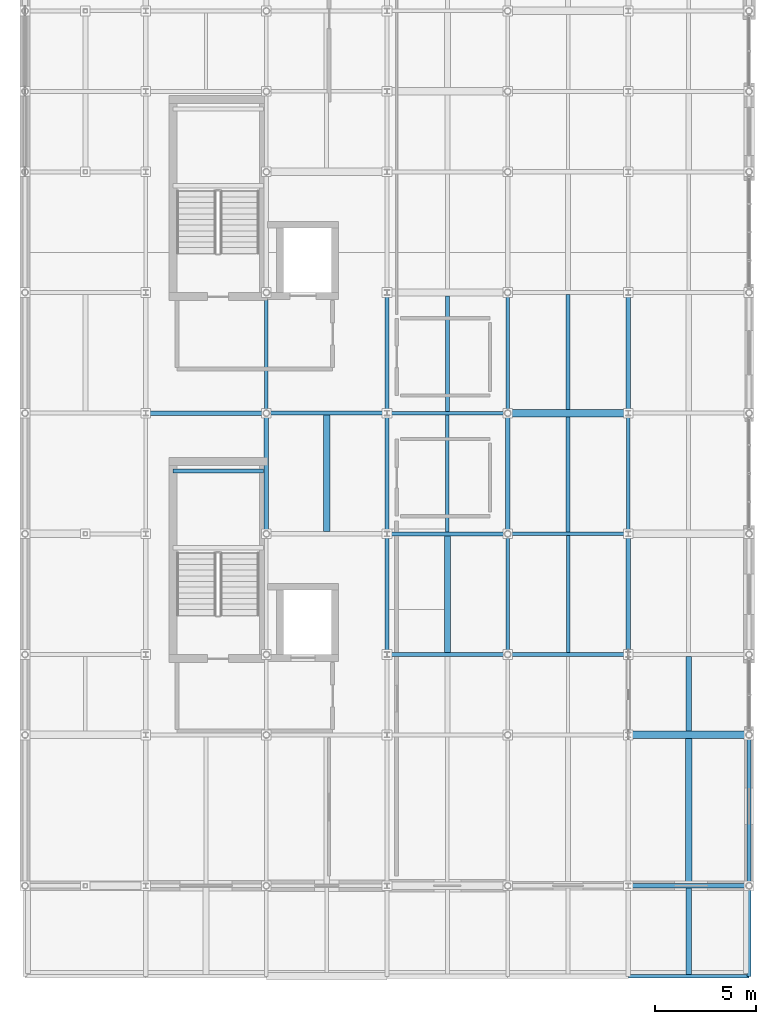
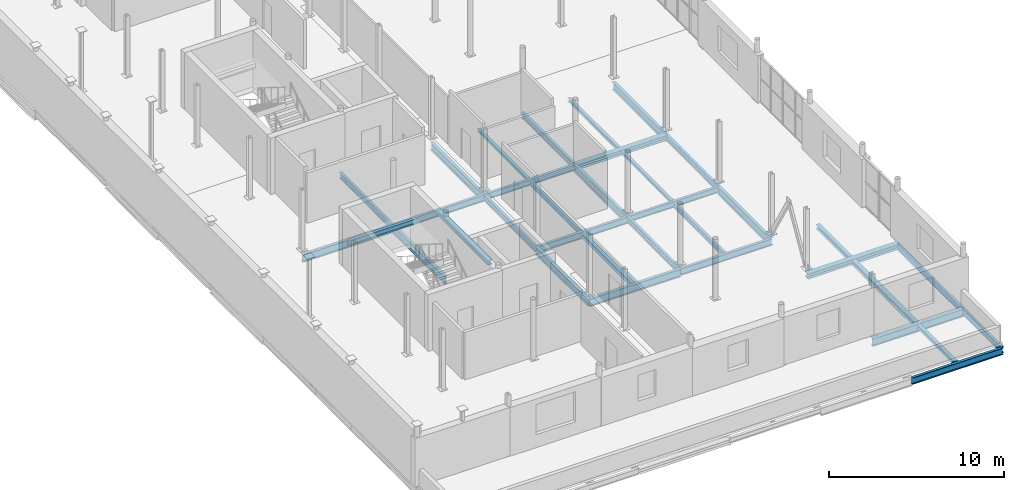
# One storey, part 12 of 30: 35 beams.
"""IFC4 building model written with IfcOpenShell, lengths in metres."""

from ifc_helpers import new_model, si_unit, direction, frame, origin, origin_2d, place, context, subcontext, project, spatial, i_section, extrude, material, material_profile, profile_set, type_object, element, save


model = new_model("IFC4")

# Units and contexts
model_context = context("Model", 3, precision=1e-05, world=origin(), true_north=direction((0.0, 1.0)))
body_context = subcontext(model_context, "Body", "Model", "MODEL_VIEW")
ifc_project = project(units=[si_unit("LENGTHUNIT", "METRE"), si_unit("AREAUNIT", "SQUARE_METRE"), si_unit("VOLUMEUNIT", "CUBIC_METRE"), si_unit("PLANEANGLEUNIT", "RADIAN"), si_unit("MASSUNIT", "GRAM", prefix="KILO")], contexts=[model_context])

# Site, building, storey
site_placement = place(None, origin())
site = spatial("IfcSite", under=ifc_project, at=site_placement, CompositionType="ELEMENT")
building_placement = place(site_placement, origin())
building = spatial("IfcBuilding", under=site, at=building_placement, Name="Verrall Gate Interchange", CompositionType="ELEMENT")
storey_placement = place(building_placement, frame((0.0, 0.0, 19.39990234375)))
storey = spatial("IfcBuildingStorey", under=building, at=storey_placement, Name="L05", CompositionType="ELEMENT", Elevation=19.39990234375)

# Beams
ifc_material_1 = material(Name="Structural Steel CSA G40.21 350W", Category="steel")
ifc_material_profile_1 = material_profile(ifc_material_1, i_section(OverallWidth=0.2109375, OverallDepth=0.5390625, WebThickness=0.01171875, FlangeThickness=0.018798828125, FilletRadius=0.013916015625, at=origin_2d()), Name="W530x109")
ifc_profile_set_1 = profile_set([ifc_material_profile_1], Name="Structural Steel CSA G40.21 350W")
beam_type_1 = type_object("IfcBeamType", Name="B-10 Structural Beam W530x109", PredefinedType="BEAM", material=ifc_profile_set_1)
for number, where, z_axis, x_axis, name in (
    (1, (30.0, 4.5, -0.599365234375), (1.0, 0.0, 0.0), (0.0, 1.0, 0.0), "L05 Girder BM-L05-2858 (B-10)"),
    (2, (18.0, 16.0, -0.599365234375), (1.0, 0.0, 0.0), (0.0, 1.0, 0.0), "L05 Girder BM-L05-2866 (B-10)"),
    (3, (6.0, 28.0, -0.599365234375), (1.0, 0.0, 0.0), (0.0, 1.0, 0.0), "L05 Girder BM-L05-2876 (B-10)"),
    (4, (12.0, 22.0, -0.599365234375), (0.0, 1.0, 0.0), (-1.0, 0.0, 0.0), "L05 Girder BM-L05-2948 (B-10)"),
    (5, (18.0, 16.0, -0.599365234375), (0.0, 1.0, 0.0), (-1.0, 0.0, 0.0), "L05 Girder BM-L05-2959 (B-10)"),
    (6, (18.0, 28.0, -0.599365234375), (0.0, 1.0, 0.0), (-1.0, 0.0, 0.0), "L05 Girder BM-L05-2961 (B-10)"),
    (7, (24.0, 22.0, -0.599365234375), (0.0, 1.0, 0.0), (-1.0, 0.0, 0.0), "L05 Girder BM-L05-2972 (B-10)"),
    (8, (30.0, 16.0, -0.599365234375), (0.0, 1.0, 0.0), (-1.0, 0.0, 0.0), "L05 Girder BM-L05-2983 (B-10)"),
    (9, (30.0, 28.0, -0.599365234375), (0.0, 1.0, 0.0), (-1.0, 0.0, 0.0), "L05 Girder BM-L05-2985 (B-10)"),
):
    element("IfcBeam", number, at=place(storey_placement, frame(where, z_axis=z_axis, x_axis=x_axis)), inside=storey, type_object=beam_type_1, Name=name, PredefinedType="BEAM", context=body_context, shape_type="SweptSolid", body=[
        extrude(i_section(OverallWidth=0.2109375, OverallDepth=0.5390625, WebThickness=0.01171875, FlangeThickness=0.018798828125, FilletRadius=0.013916015625, at=origin_2d()), origin(), (0.0, 0.0, 1.0), 6.0),
    ])
ifc_material_2 = material(Name="Structural Steel CSA G40.21 350W", Category="steel")
ifc_material_profile_2 = material_profile(ifc_material_2, i_section(OverallWidth=0.19189453125, OverallDepth=0.462890625, WebThickness=0.010498046875, FlangeThickness=0.017578125, FilletRadius=0.012939453125, at=origin_2d()), Name="W460x89")
ifc_profile_set_2 = profile_set([ifc_material_profile_2], Name="Structural Steel CSA G40.21 350W")
beam_type_2 = type_object("IfcBeamType", Name="B-11 Structural Beam W460x89", PredefinedType="BEAM", material=ifc_profile_set_2)
for number, where, z_axis, x_axis, name in (
    (10, (30.0, 0.0, -0.5615234375), (1.0, 0.0, 0.0), (0.0, 1.0, 0.0), "L05 Girder BM-L05-2851 (B-11)"),
    (11, (24.0, 16.0, -0.5615234375), (1.0, 0.0, 0.0), (0.0, 1.0, 0.0), "L05 Girder BM-L05-2867 (B-11)"),
    (12, (18.0, 22.0, -0.5615234375), (1.0, 0.0, 0.0), (0.0, 1.0, 0.0), "L05 Girder BM-L05-2872 (B-11)"),
    (13, (12.0, 28.0, -0.5615234375), (1.0, 0.0, 0.0), (0.0, 1.0, 0.0), "L05 Girder BM-L05-2877 (B-11)"),
):
    element("IfcBeam", number, at=place(storey_placement, frame(where, z_axis=z_axis, x_axis=x_axis)), inside=storey, type_object=beam_type_2, Name=name, PredefinedType="BEAM", context=body_context, shape_type="SweptSolid", body=[
        extrude(i_section(OverallWidth=0.19189453125, OverallDepth=0.462890625, WebThickness=0.010498046875, FlangeThickness=0.017578125, FilletRadius=0.012939453125, at=origin_2d()), origin(), (0.0, 0.0, 1.0), 6.0),
    ])
ifc_material_3 = material(Name="Structural Steel CSA G40.21 350W", Category="steel")
ifc_material_profile_3 = material_profile(ifc_material_3, i_section(OverallWidth=0.178955078125, OverallDepth=0.409912109375, WebThickness=0.0087890625, FlangeThickness=0.014404296875, FilletRadius=0.011962890625, at=origin_2d()), Name="W410x67")
ifc_profile_set_3 = profile_set([ifc_material_profile_3], Name="Structural Steel CSA G40.21 350W")
beam_type_3 = type_object("IfcBeamType", Name="B-12 Structural Beam W410x67", PredefinedType="BEAM", material=ifc_profile_set_3)
for number, where, z_axis, x_axis, name in (
    (14, (24.0, 22.0, -0.534912109375), (1.0, 0.0, 0.0), (0.0, 1.0, 0.0), "L05 Girder BM-L05-2873 (B-12)"),
    (15, (18.0, 28.0, -0.534912109375), (1.0, 0.0, 0.0), (0.0, 1.0, 0.0), "L05 Girder BM-L05-2878 (B-12)"),
    (16, (12.0, 28.0, -0.534912109375), (0.0, 1.0, 0.0), (-1.0, 0.0, 0.0), "L05 Girder BM-L05-2949 (B-12)"),
    (17, (18.0, 22.0, -0.534912109375), (0.0, 1.0, 0.0), (-1.0, 0.0, 0.0), "L05 Girder BM-L05-2960 (B-12)"),
    (18, (24.0, 16.0, -0.534912109375), (0.0, 1.0, 0.0), (-1.0, 0.0, 0.0), "L05 Girder BM-L05-2971 (B-12)"),
    (19, (24.0, 28.0, -0.534912109375), (0.0, 1.0, 0.0), (-1.0, 0.0, 0.0), "L05 Girder BM-L05-2973 (B-12)"),
    (20, (30.0, 22.0, -0.534912109375), (0.0, 1.0, 0.0), (-1.0, 0.0, 0.0), "L05 Girder BM-L05-2984 (B-12)"),
):
    element("IfcBeam", number, at=place(storey_placement, frame(where, z_axis=z_axis, x_axis=x_axis)), inside=storey, type_object=beam_type_3, Name=name, PredefinedType="BEAM", context=body_context, shape_type="SweptSolid", body=[
        extrude(i_section(OverallWidth=0.178955078125, OverallDepth=0.409912109375, WebThickness=0.0087890625, FlangeThickness=0.014404296875, FilletRadius=0.011962890625, at=origin_2d()), origin(), (0.0, 0.0, 1.0), 6.0),
    ])
beam_1_placement = place(storey_placement, frame((36.0, 0.0, -0.534912109375), z_axis=(0.0, 1.0, 0.0), x_axis=(-1.0, 0.0, 0.0)))
element("IfcBeam", 21, at=beam_1_placement, inside=storey, type_object=beam_type_3, Name="L05 Girder BM-L05-2992 (B-12)", PredefinedType="BEAM", context=body_context, shape_type="SweptSolid", body=[
    extrude(i_section(OverallWidth=0.178955078125, OverallDepth=0.409912109375, WebThickness=0.0087890625, FlangeThickness=0.014404296875, FilletRadius=0.011962890625, at=origin_2d()), origin(), (0.0, 0.0, 1.0), 4.5),
])
beam_2_placement = place(storey_placement, frame((36.0, 4.5, -0.534912109375), z_axis=(0.0, 1.0, 0.0), x_axis=(-1.0, 0.0, 0.0)))
element("IfcBeam", 22, at=beam_2_placement, inside=storey, type_object=beam_type_3, Name="L05 Girder BM-L05-2993 (B-12)", PredefinedType="BEAM", context=body_context, shape_type="SweptSolid", body=[
    extrude(i_section(OverallWidth=0.178955078125, OverallDepth=0.409912109375, WebThickness=0.0087890625, FlangeThickness=0.014404296875, FilletRadius=0.011962890625, at=origin_2d()), origin(), (0.0, 0.0, 1.0), 7.5),
])
ifc_material_4 = material(Name="Structural Steel CSA G40.21 350W", Category="steel")
ifc_material_profile_4 = material_profile(ifc_material_4, i_section(OverallWidth=0.368896484375, OverallDepth=0.35595703125, WebThickness=0.01123046875, FlangeThickness=0.01806640625, FilletRadius=0.014892578125, at=origin_2d()), Name="W360x134")
ifc_profile_set_4 = profile_set([ifc_material_profile_4], Name="Structural Steel CSA G40.21 350W")
beam_type_4 = type_object("IfcBeamType", Name="B-13 Structural Beam W360x134", PredefinedType="BEAM", material=ifc_profile_set_4)
for number, where, z_axis, x_axis, name in (
    (23, (30.0, 12.0, -0.5078125), (1.0, 0.0, 0.0), (0.0, 1.0, 0.0), "L05 Girder BM-L05-2864 (B-13)"),
    (24, (24.0, 28.0, -0.5078125), (1.0, 0.0, 0.0), (0.0, 1.0, 0.0), "L05 Girder BM-L05-2879 (B-13)"),
):
    element("IfcBeam", number, at=place(storey_placement, frame(where, z_axis=z_axis, x_axis=x_axis)), inside=storey, type_object=beam_type_4, Name=name, PredefinedType="BEAM", context=body_context, shape_type="SweptSolid", body=[
        extrude(i_section(OverallWidth=0.368896484375, OverallDepth=0.35595703125, WebThickness=0.01123046875, FlangeThickness=0.01806640625, FilletRadius=0.014892578125, at=origin_2d()), origin(), (0.0, 0.0, 1.0), 6.0),
    ])
ifc_material_5 = material(Name="Structural Steel CSA G40.21 350W", Category="steel")
ifc_material_profile_5 = material_profile(ifc_material_5, i_section(OverallWidth=0.205078125, OverallDepth=0.35400390625, WebThickness=0.009521484375, FlangeThickness=0.016845703125, FilletRadius=0.012939453125, at=origin_2d()), Name="W360x79")
ifc_profile_set_5 = profile_set([ifc_material_profile_5], Name="Structural Steel CSA G40.21 350W")
beam_type_5 = type_object("IfcBeamType", Name="B-14 Structural Beam W360x79", PredefinedType="BEAM", material=ifc_profile_set_5)
beam_3_placement = place(storey_placement, frame((7.35009765625, 25.1201171875, 1.72998046875), z_axis=(1.0, 0.0, 0.0), x_axis=(0.0, 1.0, 0.0)))
element("IfcBeam", 25, at=beam_3_placement, inside=storey, type_object=beam_type_5, Name="L05 Core C1 Mid-Landing Beam 2", PredefinedType="BEAM", context=body_context, shape_type="SweptSolid", body=[
    extrude(i_section(OverallWidth=0.205078125, OverallDepth=0.35400390625, WebThickness=0.009521484375, FlangeThickness=0.016845703125, FilletRadius=0.012939453125, at=origin_2d()), origin(), (0.0, 0.0, 1.0), 4.5),
])
ifc_material_6 = material(Name="Structural Steel CSA G40.21 350W", Category="steel")
ifc_material_profile_6 = material_profile(ifc_material_6, i_section(OverallWidth=0.172119140625, OverallDepth=0.35791015625, WebThickness=0.0078125, FlangeThickness=0.01318359375, FilletRadius=0.010986328125, at=origin_2d()), Name="W360x57")
ifc_profile_set_6 = profile_set([ifc_material_profile_6], Name="Structural Steel CSA G40.21 350W")
beam_type_6 = type_object("IfcBeamType", Name="J-01 Floor Joist W360x57", PredefinedType="JOIST", material=ifc_profile_set_6)
for number, where, z_axis, x_axis, name in (
    (26, (27.0, 16.095947265625, -0.5087890625), (0.0, 1.0, 0.0), (-1.0, 0.0, 0.0), "L05 Secondary Floor Joist JST-L05-3019"),
    (27, (21.0, 22.095947265625, -0.5087890625), (0.0, 1.0, 0.0), (-1.0, 0.0, 0.0), "L05 Secondary Floor Joist JST-L05-3022"),
):
    element("IfcBeam", number, at=place(storey_placement, frame(where, z_axis=z_axis, x_axis=x_axis)), inside=storey, type_object=beam_type_6, Name=name, PredefinedType="JOIST", context=body_context, shape_type="SweptSolid", body=[
        extrude(i_section(OverallWidth=0.172119140625, OverallDepth=0.35791015625, WebThickness=0.0078125, FlangeThickness=0.01318359375, FilletRadius=0.010986328125, at=origin_2d()), origin(), (0.0, 0.0, 1.0), 5.814453125),
    ])
ifc_material_7 = material(Name="Structural Steel CSA G40.21 350W", Category="steel")
ifc_material_profile_7 = material_profile(ifc_material_7, i_section(OverallWidth=0.306884765625, OverallDepth=0.31396484375, WebThickness=0.011962890625, FlangeThickness=0.018798828125, FilletRadius=0.013916015625, at=origin_2d()), Name="W310x118")
ifc_profile_set_7 = profile_set([ifc_material_profile_7], Name="Structural Steel CSA G40.21 350W")
beam_type_7 = type_object("IfcBeamType", Name="J-02 Floor Joist W310x118", PredefinedType="JOIST", material=ifc_profile_set_7)
beam_4_placement = place(storey_placement, frame((33.0, 4.60546875, -0.48681640625), z_axis=(0.0, 1.0, 0.0), x_axis=(-1.0, 0.0, 0.0)))
element("IfcBeam", 28, at=beam_4_placement, inside=storey, type_object=beam_type_7, Name="L05 Secondary Floor Joist JST-L05-3013", PredefinedType="JOIST", context=body_context, shape_type="SweptSolid", body=[
    extrude(i_section(OverallWidth=0.306884765625, OverallDepth=0.31396484375, WebThickness=0.011962890625, FlangeThickness=0.018798828125, FilletRadius=0.013916015625, at=origin_2d()), origin(), (0.0, 0.0, 1.0), 7.2099609375),
])
for number, where, z_axis, x_axis, name in (
    (29, (21.0, 16.10546875, -0.48681640625), (0.0, 1.0, 0.0), (-1.0, 0.0, 0.0), "L05 Secondary Floor Joist JST-L05-3018"),
    (30, (15.0, 22.10546875, -0.48681640625), (0.0, 1.0, 0.0), (-1.0, 0.0, 0.0), "L05 Secondary Floor Joist JST-L05-3021"),
):
    element("IfcBeam", number, at=place(storey_placement, frame(where, z_axis=z_axis, x_axis=x_axis)), inside=storey, type_object=beam_type_7, Name=name, PredefinedType="JOIST", context=body_context, shape_type="SweptSolid", body=[
        extrude(i_section(OverallWidth=0.306884765625, OverallDepth=0.31396484375, WebThickness=0.011962890625, FlangeThickness=0.018798828125, FilletRadius=0.013916015625, at=origin_2d()), origin(), (0.0, 0.0, 1.0), 5.798583984375),
    ])
ifc_material_8 = material(Name="Structural Steel CSA G40.21 350W", Category="steel")
ifc_material_profile_8 = material_profile(ifc_material_8, i_section(OverallWidth=0.25390625, OverallDepth=0.305908203125, WebThickness=0.0087890625, FlangeThickness=0.0146484375, FilletRadius=0.012939453125, at=origin_2d()), Name="W310x79")
ifc_profile_set_8 = profile_set([ifc_material_profile_8], Name="Structural Steel CSA G40.21 350W")
beam_type_8 = type_object("IfcBeamType", Name="J-03 Floor Joist W310x79", PredefinedType="JOIST", material=ifc_profile_set_8)
beam_5_placement = place(storey_placement, frame((33.0, 12.1845703125, -0.48291015625), z_axis=(0.0, 1.0, 0.0), x_axis=(-1.0, 0.0, 0.0)))
element("IfcBeam", 31, at=beam_5_placement, inside=storey, type_object=beam_type_8, Name="L05 Secondary Floor Joist JST-L05-3017", PredefinedType="JOIST", context=body_context, shape_type="SweptSolid", body=[
    extrude(i_section(OverallWidth=0.25390625, OverallDepth=0.305908203125, WebThickness=0.0087890625, FlangeThickness=0.0146484375, FilletRadius=0.012939453125, at=origin_2d()), origin(), (0.0, 0.0, 1.0), 3.725830078125),
])
ifc_material_9 = material(Name="Structural Steel CSA G40.21 350W", Category="steel")
ifc_material_profile_9 = material_profile(ifc_material_9, i_section(OverallWidth=0.25390625, OverallDepth=0.2529296875, WebThickness=0.008544921875, FlangeThickness=0.01416015625, FilletRadius=0.011962890625, at=origin_2d()), Name="W250x73")
ifc_profile_set_9 = profile_set([ifc_material_profile_9], Name="Structural Steel CSA G40.21 350W")
beam_type_9 = type_object("IfcBeamType", Name="J-05 Floor Joist W250x73", PredefinedType="JOIST", material=ifc_profile_set_9)
beam_6_placement = place(storey_placement, frame((33.0, 0.095947265625, -0.456298828125), z_axis=(0.0, 1.0, 0.0), x_axis=(-1.0, 0.0, 0.0)))
element("IfcBeam", 32, at=beam_6_placement, inside=storey, type_object=beam_type_9, Name="L05 Secondary Floor Joist JST-L05-3008", PredefinedType="JOIST", context=body_context, shape_type="SweptSolid", body=[
    extrude(i_section(OverallWidth=0.25390625, OverallDepth=0.2529296875, WebThickness=0.008544921875, FlangeThickness=0.01416015625, FilletRadius=0.011962890625, at=origin_2d()), origin(), (0.0, 0.0, 1.0), 4.298583984375),
])
ifc_material_10 = material(Name="Structural Steel CSA G40.21 350W", Category="steel")
ifc_material_profile_10 = material_profile(ifc_material_10, i_section(OverallWidth=0.201904296875, OverallDepth=0.2470703125, WebThickness=0.00732421875, FlangeThickness=0.010986328125, FilletRadius=0.010986328125, at=origin_2d()), Name="W250x49")
ifc_profile_set_10 = profile_set([ifc_material_profile_10], Name="Structural Steel CSA G40.21 350W")
beam_type_10 = type_object("IfcBeamType", Name="J-06 Floor Joist W250x49", PredefinedType="JOIST", material=ifc_profile_set_10)
beam_7_placement = place(storey_placement, frame((27.0, 28.1845703125, -0.453369140625), z_axis=(0.0, 1.0, 0.0), x_axis=(-1.0, 0.0, 0.0)))
element("IfcBeam", 33, at=beam_7_placement, inside=storey, type_object=beam_type_10, Name="L05 Secondary Floor Joist JST-L05-3027", PredefinedType="JOIST", context=body_context, shape_type="SweptSolid", body=[
    extrude(i_section(OverallWidth=0.201904296875, OverallDepth=0.2470703125, WebThickness=0.00732421875, FlangeThickness=0.010986328125, FilletRadius=0.010986328125, at=origin_2d()), origin(), (0.0, 0.0, 1.0), 5.712890625),
])
ifc_material_11 = material(Name="Structural Steel CSA G40.21 350W", Category="steel")
ifc_material_profile_11 = material_profile(ifc_material_11, i_section(OverallWidth=0.202880859375, OverallDepth=0.202880859375, WebThickness=0.007080078125, FlangeThickness=0.010986328125, FilletRadius=0.010009765625, at=origin_2d()), Name="W200x46")
ifc_profile_set_11 = profile_set([ifc_material_profile_11], Name="Structural Steel CSA G40.21 350W")
beam_type_11 = type_object("IfcBeamType", Name="J-07 Floor Joist W200x46", PredefinedType="JOIST", material=ifc_profile_set_11)
for number, where, z_axis, x_axis, name in (
    (34, (27.0, 22.089599609375, -0.431396484375), (0.0, 1.0, 0.0), (-1.0, 0.0, 0.0), "L05 Secondary Floor Joist JST-L05-3023"),
    (35, (21.0, 28.089599609375, -0.431396484375), (0.0, 1.0, 0.0), (-1.0, 0.0, 0.0), "L05 Secondary Floor Joist JST-L05-3026"),
):
    element("IfcBeam", number, at=place(storey_placement, frame(where, z_axis=z_axis, x_axis=x_axis)), inside=storey, type_object=beam_type_11, Name=name, PredefinedType="JOIST", context=body_context, shape_type="SweptSolid", body=[
        extrude(i_section(OverallWidth=0.202880859375, OverallDepth=0.202880859375, WebThickness=0.007080078125, FlangeThickness=0.010986328125, FilletRadius=0.010009765625, at=origin_2d()), origin(), (0.0, 0.0, 1.0), 5.725830078125),
    ])

save(model, "model.ifc")
